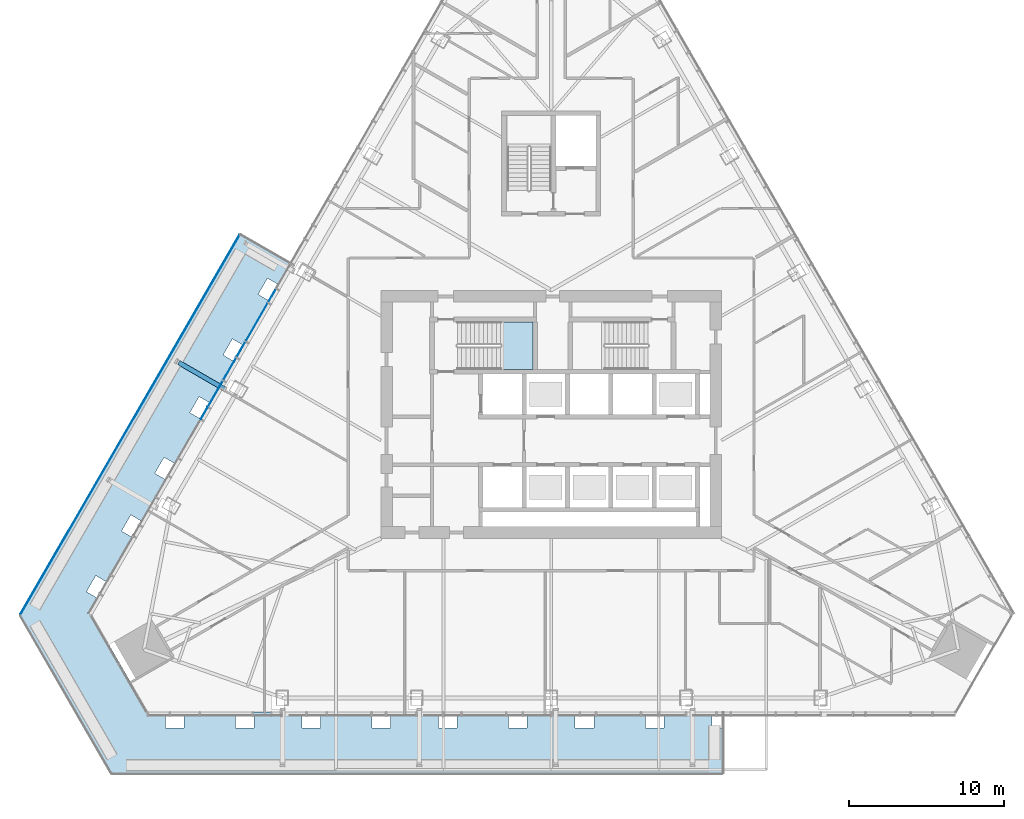
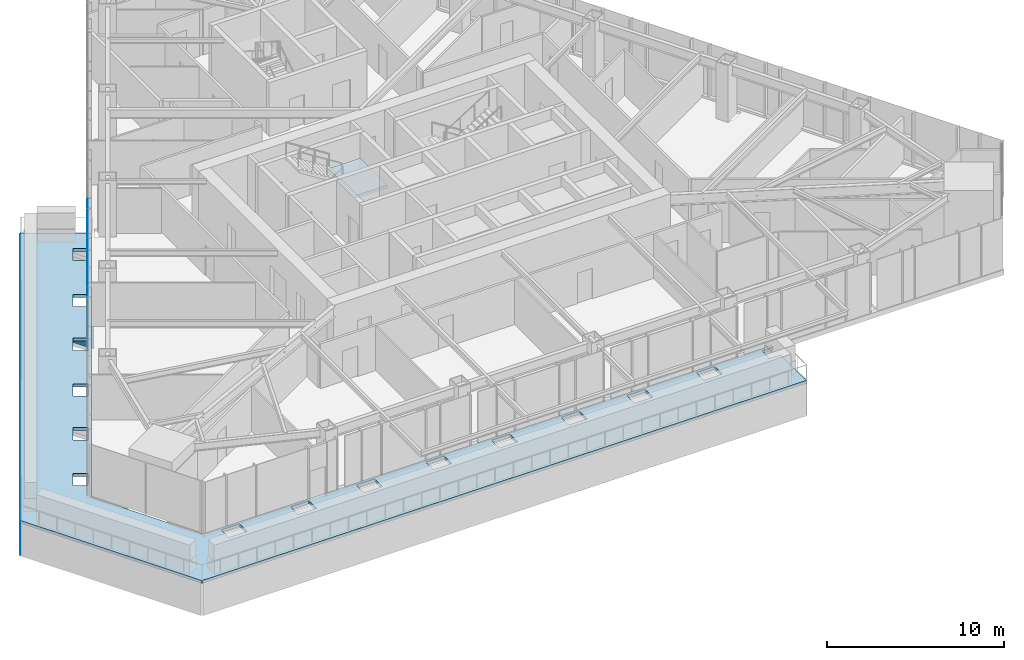
# One storey, part 11 of 23: 8 plates, 2 slabs, 2 elements without a shape of their own.
"""IFC4 building model written with IfcOpenShell, lengths in metres."""

from ifc_helpers import new_model, si_unit, direction, frame, origin, place, context, subcontext, project, spatial, polyline, outline, extrude, material, layer, layer_set, type_object, element, aggregate, save


model = new_model("IFC4")

# Units and contexts
model_context = context("Model", 3, precision=1e-05, world=origin(), true_north=direction((0.0, 1.0)))
body_context = subcontext(model_context, "Body", "Model", "MODEL_VIEW")
ifc_project = project(units=[si_unit("LENGTHUNIT", "METRE"), si_unit("AREAUNIT", "SQUARE_METRE"), si_unit("VOLUMEUNIT", "CUBIC_METRE"), si_unit("PLANEANGLEUNIT", "RADIAN"), si_unit("MASSUNIT", "GRAM", prefix="KILO")], contexts=[model_context])

# Site, building, storey
site_placement = place(None, origin())
site = spatial("IfcSite", under=ifc_project, at=site_placement, CompositionType="ELEMENT")
building_placement = place(site_placement, origin())
building = spatial("IfcBuilding", under=site, at=building_placement, Name="Firuza Gate Tower and Library", CompositionType="ELEMENT")
storey_placement = place(building_placement, frame((0.0, 0.0, 190.89990234375)))
storey = spatial("IfcBuildingStorey", under=building, at=storey_placement, Name="L44", CompositionType="ELEMENT", Elevation=190.89990234375)

# Curtain wall, plates
ifc_material_1 = material(Name="Aluminium 6063-T6", Category="aluminium")
ifc_layer_1 = layer(ifc_material_1, 0.14990234375)
ifc_layer_set_1 = layer_set([ifc_layer_1], Name="Unitised curtain wall, hotel")
curtain_wall_type = type_object("IfcCurtainWallType", Name="Unitised curtain wall, hotel", PredefinedType="NOTDEFINED", material=ifc_layer_set_1)
placement = place(storey_placement, origin())
curtain_wall = element("IfcCurtainWall", 1, at=placement, inside=storey, type_object=curtain_wall_type, Name="CW2 L44 W face", PredefinedType="NOTDEFINED")
ifc_material_2 = material(Name="Fritted glass", Category="glass")
ifc_layer_2 = layer(ifc_material_2, 0.030029296875)
ifc_layer_set_2 = layer_set([ifc_layer_2], Name="Fritted glass unit, hotel")
plate_type_1 = type_object("IfcPlateType", Name="Fritted glass unit, hotel", PredefinedType="CURTAIN_PANEL", material=ifc_layer_set_2)
plate_1_placement = place(storey_placement, frame((54.635986328125, 78.65087890625, 0.150146484375), z_axis=(-0.866054188497, 0.499950140102, 0.0), x_axis=(-0.499950140102, -0.866054188497, 0.0)))
plate_1 = element("IfcPlate", 2, at=plate_1_placement, type_object=plate_type_1, Name="Glass unit", PredefinedType="CURTAIN_PANEL", context=body_context, shape_type="SweptSolid", body=[
    extrude(outline(polyline([(0.0, 0.0), (1.639811959215213, 0.0), (1.639811959215213, 3.550048828125), (0.0, 3.550048828125), (0.0, 0.0)])), origin(), (0.0, 0.0, -1.0), 0.030029296875),
])
plate_2_placement = place(storey_placement, frame((53.776123046875, 77.161376953125, 0.150146484375), z_axis=(-0.865989558321, 0.500062081026, 0.0), x_axis=(-0.500062081026, -0.865989558321, 0.0)))
plate_2 = element("IfcPlate", 3, at=plate_2_placement, type_object=plate_type_1, Name="Glass unit", PredefinedType="CURTAIN_PANEL", context=body_context, shape_type="SweptSolid", body=[
    extrude(outline(polyline([(0.0, 0.0), (1.8874609614749842, 0.0), (1.8874609614749842, 3.550048828125), (0.0, 3.550048828125), (0.0, 0.0)])), origin(), (0.0, 0.0, -1.0), 0.030029296875),
])
ifc_material_3 = material(Name="Glazed ceramic tile")
ifc_layer_3 = layer(ifc_material_3, 0.030029296875)
ifc_layer_set_3 = layer_set([ifc_layer_3], Name="Opaque ceramic panel, hotel")
plate_type_2 = type_object("IfcPlateType", Name="Opaque ceramic panel, hotel", PredefinedType="CURTAIN_PANEL", material=ifc_layer_set_3)
plate_3_placement = place(storey_placement, frame((57.204345703125, 83.09912109375, 0.150146484375), z_axis=(-0.865956528199, 0.500119277042, 0.0), x_axis=(-0.500119277042, -0.865956528199, 0.0)))
plate_3 = element("IfcPlate", 4, at=plate_3_placement, type_object=plate_type_2, Name="Opaque ceramic panel", PredefinedType="CURTAIN_PANEL", context=body_context, shape_type="SweptSolid", body=[
    extrude(outline(polyline([(0.0, 0.0), (0.9763295925874464, 0.0), (0.9763295925874464, 3.550048828125), (0.0, 3.550048828125), (0.0, 0.0)])), origin(), (0.0, 0.0, -1.0), 0.030029296875),
])
plate_4_placement = place(storey_placement, frame((56.676025390625, 82.184326171875, 0.150146484375), z_axis=(-0.866034203951, 0.499984757355, 0.0), x_axis=(-0.499984757355, -0.866034203951, 0.0)))
plate_4 = element("IfcPlate", 5, at=plate_4_placement, type_object=plate_type_2, Name="Opaque ceramic panel", PredefinedType="CURTAIN_PANEL", context=body_context, shape_type="SweptSolid", body=[
    extrude(outline(polyline([(0.0, 0.0), (2.8199101845324175, 0.0), (2.8199101845324175, 3.550048828125001), (0.0, 3.550048828125001), (0.0, 0.0)])), origin(), (0.0, 0.0, -1.0), 0.030029296875),
])
plate_5_placement = place(storey_placement, frame((55.22607421875, 79.6728515625, 0.150146484375), z_axis=(-0.866008176907, 0.50002983664, 0.0), x_axis=(-0.50002983664, -0.866008176907, 0.0)))
plate_5 = element("IfcPlate", 6, at=plate_5_placement, type_object=plate_type_2, Name="Opaque ceramic panel", PredefinedType="CURTAIN_PANEL", context=body_context, shape_type="SweptSolid", body=[
    extrude(outline(polyline([(0.0, 0.0), (1.1000320137307154, 0.0), (1.1000320137307154, 3.550048828125), (0.0, 3.550048828125), (0.0, 0.0)])), origin(), (0.0, 0.0, -1.0), 0.030029296875),
])
plate_6_placement = place(storey_placement, frame((52.79248046875, 75.45751953125, 0.150146484375), z_axis=(-0.865961504441, 0.500110660581, 0.0), x_axis=(-0.500110660581, -0.865961504441, 0.0)))
plate_6 = element("IfcPlate", 7, at=plate_6_placement, type_object=plate_type_2, Name="Opaque ceramic panel", PredefinedType="CURTAIN_PANEL", context=body_context, shape_type="SweptSolid", body=[
    extrude(outline(polyline([(0.0, 0.0), (0.8528385925215298, 0.0), (0.8528385925215298, 3.550048828125), (0.0, 3.550048828125), (0.0, 0.0)])), origin(), (0.0, 0.0, -1.0), 0.030029296875),
])
aggregate(curtain_wall, [plate_3, plate_4, plate_5, plate_1, plate_2, plate_6])

# Slab
ifc_material_4 = material(Name="Concrete C40/50", Category="concrete")
ifc_layer_4 = layer(ifc_material_4, 0.199951171875)
ifc_layer_set_4 = layer_set([ifc_layer_4], Name="Planter tray slab 200 C40/50")
slab_type_1 = type_object("IfcSlabType", Name="Planter tray slab 200 C40/50", PredefinedType="FLOOR", material=ifc_layer_set_4)
slab_1_placement = place(storey_placement, frame((0.0, 0.0, -0.199951171875)))
element("IfcSlab", 8, at=slab_1_placement, inside=storey, type_object=slab_type_1, Name="Planter tray L44 band 5", PredefinedType="FLOOR", context=body_context, shape_type="SweptSolid", body=[
    extrude(outline(polyline([(86.085693359375, 51.798828125), (86.085693359375, 54.734619140625), (85.373291015625, 54.734619140625), (85.373291015625, 55.584716796875), (86.085693359375, 55.584716796875), (86.085693359375, 55.798828125), (48.942626953125, 55.798828125), (45.342529296875, 62.0341796875), (58.371337890625, 84.6005859375), (54.9072265625, 86.6005859375), (40.723876953125, 62.0341796875), (46.63330078125, 51.798828125), (86.085693359375, 51.798828125)]), holes=[polyline([(58.901611328125, 54.734619140625), (58.901611328125, 55.584716796875), (60.101806640625, 55.584716796875), (60.101806640625, 54.734619140625), (58.901611328125, 54.734619140625)]), polyline([(72.25048828125, 54.734619140625), (72.25048828125, 55.584716796875), (73.45068359375, 55.584716796875), (73.45068359375, 54.734619140625), (72.25048828125, 54.734619140625)]), polyline([(67.7255859375, 54.734619140625), (67.7255859375, 55.584716796875), (68.925537109375, 55.584716796875), (68.925537109375, 54.734619140625), (67.7255859375, 54.734619140625)]), polyline([(63.4267578125, 54.734619140625), (63.4267578125, 55.584716796875), (64.626708984375, 55.584716796875), (64.626708984375, 54.734619140625), (63.4267578125, 54.734619140625)]), polyline([(54.602783203125, 54.734619140625), (54.602783203125, 55.584716796875), (55.802978515625, 55.584716796875), (55.802978515625, 54.734619140625), (54.602783203125, 54.734619140625)]), polyline([(50.077880859375, 54.734619140625), (50.077880859375, 55.584716796875), (51.27783203125, 55.584716796875), (51.27783203125, 54.734619140625), (50.077880859375, 54.734619140625)]), polyline([(45.588623046875, 64.588623046875), (46.32470703125, 64.16357421875), (45.724853515625, 63.12451171875), (44.98876953125, 63.54931640625), (45.588623046875, 64.588623046875)]), polyline([(48.58740234375, 68.08251953125), (47.9873046875, 67.043212890625), (47.251220703125, 67.46826171875), (47.85107421875, 68.507568359375), (48.58740234375, 68.08251953125)]), polyline([(50.73681640625, 71.805419921875), (50.13671875, 70.76611328125), (49.400634765625, 71.191162109375), (50.00048828125, 72.230224609375), (50.73681640625, 71.805419921875)]), polyline([(52.26318359375, 76.149169921875), (52.999267578125, 75.72412109375), (52.399169921875, 74.684814453125), (51.6630859375, 75.10986328125), (52.26318359375, 76.149169921875)]), polyline([(54.41259765625, 79.8720703125), (55.148681640625, 79.447021484375), (54.548583984375, 78.40771484375), (53.8125, 78.832763671875), (54.41259765625, 79.8720703125)]), polyline([(56.675048828125, 83.790771484375), (57.4111328125, 83.36572265625), (56.811279296875, 82.32666015625), (56.074951171875, 82.751708984375), (56.675048828125, 83.790771484375)]), polyline([(81.074462890625, 54.734619140625), (81.074462890625, 55.584716796875), (82.2744140625, 55.584716796875), (82.2744140625, 54.734619140625), (81.074462890625, 54.734619140625)]), polyline([(76.54931640625, 54.734619140625), (76.54931640625, 55.584716796875), (77.74951171875, 55.584716796875), (77.74951171875, 54.734619140625), (76.54931640625, 54.734619140625)])]), origin(), (0.0, 0.0, 1.0), 0.199951171875),
])

# Stair, slab
ifc_material_5 = material(Name="Concrete C35/45", Category="concrete")
stair_type = type_object("IfcStairType", Name="Exit stair ST7", PredefinedType="HALF_TURN_STAIR", material=ifc_material_5)
stair = element("IfcStair", 9, at=placement, inside=storey, type_object=stair_type, Name="L44 Stair ST1", PredefinedType="HALF_TURN_STAIR")
ifc_material_6 = material(Name="Concrete C35/45", Category="concrete")
ifc_layer_5 = layer(ifc_material_6, 0.199951171875)
ifc_layer_set_5 = layer_set([ifc_layer_5], Name="Stair landing 200")
slab_type_2 = type_object("IfcSlabType", Name="Stair landing 200", PredefinedType="LANDING", material=ifc_layer_set_5)
slab_2_placement = place(storey_placement, frame((0.0, 0.0, 1.75)))
slab_2 = element("IfcSlab", 10, at=slab_2_placement, type_object=slab_type_2, Name="ST1 landing 1", PredefinedType="LANDING", context=body_context, shape_type="SweptSolid", body=[
    extrude(outline(polyline([(71.739990234375, 77.89990234375), (73.81005859375, 77.89990234375), (73.81005859375, 80.97998046875), (71.739990234375, 80.97998046875), (71.739990234375, 77.89990234375)])), origin(), (0.0, 0.0, 1.0), 0.2001953125),
])
aggregate(stair, [slab_2])

# Plates
ifc_material_7 = material(Name="Steel S355", Category="steel")
ifc_layer_6 = layer(ifc_material_7, 0.300048828125)
ifc_layer_set_6 = layer_set([ifc_layer_6], Name="Tray bracket web 300 Steel S355")
plate_type_3 = type_object("IfcPlateType", Name="Tray bracket web 300 Steel S355", PredefinedType="SHEET", material=ifc_layer_set_6)
plate_7_placement = place(storey_placement, frame((53.843017578125, 76.506103515625, -0.199951171875), z_axis=(-0.500028509433, -0.86600894323, 0.0), x_axis=(-0.86600894323, 0.500028509433, 0.0)))
element("IfcPlate", 11, at=plate_7_placement, inside=storey, type_object=plate_type_3, Name="Tray bracket web L44 col:L43:W4", PredefinedType="SHEET", context=body_context, shape_type="SweptSolid", body=[
    extrude(outline(polyline([(0.0, 0.0), (3.4294919542601163, 0.0), (0.0, 1.333984375), (0.0, 0.0)])), origin(), (0.0, 0.0, -1.0), 0.300048828125),
])
ifc_material_8 = material(Name="Aluminium 6063-T6", Category="aluminium")
ifc_layer_7 = layer(ifc_material_8, 0.050048828125)
ifc_layer_set_7 = layer_set([ifc_layer_7], Name="Tray fascia panel 50")
plate_type_4 = type_object("IfcPlateType", Name="Tray fascia panel 50", PredefinedType="SHEET", material=ifc_layer_set_7)
plate_8_placement = place(storey_placement, frame((54.84912109375, 86.60009765625, -2.39990234375), z_axis=(-0.866036793794, 0.499980271406, 0.0), x_axis=(-0.499980271406, -0.866036793794, 0.0)))
element("IfcPlate", 12, at=plate_8_placement, inside=storey, type_object=plate_type_4, Name="Tray fascia L44 1", PredefinedType="SHEET", context=body_context, shape_type="SweptSolid", body=[
    extrude(outline(polyline([(0.0, 0.0), (28.307269268968714, 0.0), (28.307269268968714, 2.39990234375), (0.0, 2.39990234375), (0.0, 0.0)])), origin(), (0.0, 0.0, -1.0), 0.050048828125),
])

save(model, "model.ifc")
